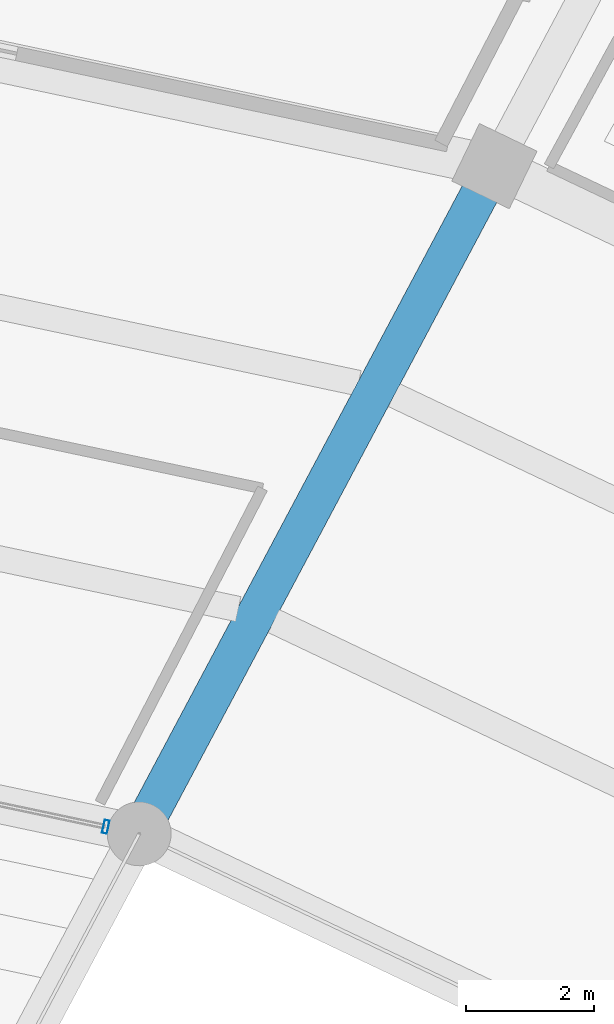
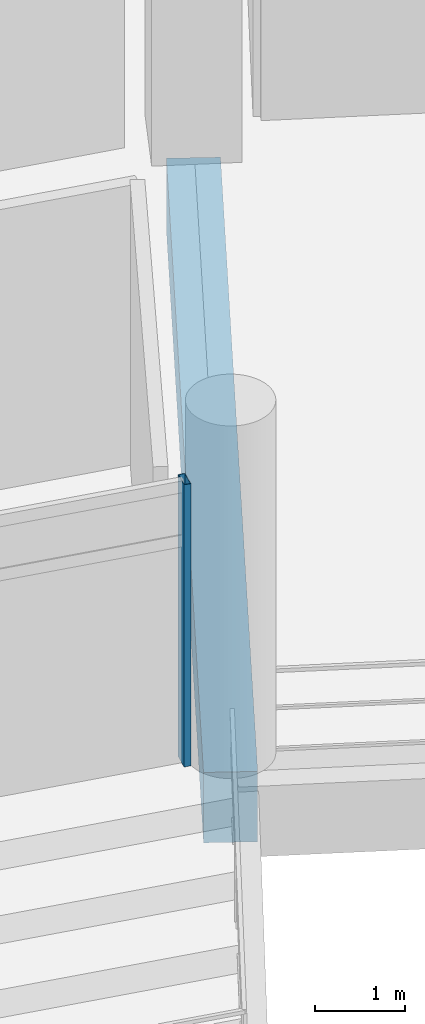
# One storey, part 111 of 171: 1 beam, 1 member, 1 element without a shape of its own.
"""IFC4 building model written with IfcOpenShell, lengths in metres."""

from ifc_helpers import new_model, si_unit, direction, frame, origin, origin_2d, place, context, subcontext, project, spatial, rectangle, hollow_rectangle, extrude, material, layer, layer_set, material_profile, profile_set, type_object, element, aggregate, save


model = new_model("IFC4")

# Units and contexts
model_context = context("Model", 3, precision=1e-05, world=origin(), true_north=direction((0.0, 1.0)))
body_context = subcontext(model_context, "Body", "Model", "MODEL_VIEW")
ifc_project = project(units=[si_unit("LENGTHUNIT", "METRE"), si_unit("AREAUNIT", "SQUARE_METRE"), si_unit("VOLUMEUNIT", "CUBIC_METRE"), si_unit("PLANEANGLEUNIT", "RADIAN"), si_unit("MASSUNIT", "GRAM", prefix="KILO")], contexts=[model_context])

# Site, building, storey
site_placement = place(None, origin())
site = spatial("IfcSite", under=ifc_project, at=site_placement, CompositionType="ELEMENT")
building_placement = place(site_placement, origin())
building = spatial("IfcBuilding", under=site, at=building_placement, Name="Kazemori Nagisa Stadium", CompositionType="ELEMENT")
storey_placement = place(building_placement, frame((0.0, 0.0, 15.639892578125)))
storey = spatial("IfcBuildingStorey", under=building, at=storey_placement, Name="L03", CompositionType="ELEMENT", Elevation=15.639892578125)

# Beam
ifc_material_1 = material(Name="Concrete C40/50 (Fc42)", Category="concrete")
ifc_material_profile_1 = material_profile(ifc_material_1, rectangle(XDim=0.60009765625, YDim=0.949951171875, at=origin_2d()), Name="RC-BM-600x950")
ifc_profile_set_1 = profile_set([ifc_material_profile_1], Name="Concrete C40/50 (Fc42)")
beam_type = type_object("IfcBeamType", Name="Beam_BG-RC600X950", PredefinedType="BEAM", material=ifc_profile_set_1)
beam_placement = place(storey_placement, frame((154.24755859375, 160.739013671875, -0.73486328125), z_axis=(0.469646804203, 0.882854393036, 0.0), x_axis=(-0.882854393036, 0.469646804203, 0.0)))
element("IfcBeam", 1, at=beam_placement, inside=storey, type_object=beam_type, Name="Radial girder BG-RC600X950 L03 R1-R2-06", PredefinedType="BEAM", context=body_context, shape_type="SweptSolid", body=[
    extrude(rectangle(XDim=0.60009765625, YDim=0.949951171875, at=origin_2d()), origin(), (0.0, 0.0, 1.0), 11.84814453125),
])

# Curtain wall, member
ifc_material_2 = material(Name="Anodised aluminium 6063-T5", Category="aluminium")
ifc_layer = layer(ifc_material_2, 0.2099609375, Name="Anodised aluminium 6063-T5", Category="aluminium")
ifc_layer_set = layer_set([ifc_layer], Name="Anodised aluminium 6063-T5")
curtain_wall_type = type_object("IfcCurtainWallType", Name="CW_L03B_75", PredefinedType="USERDEFINED", material=ifc_layer_set)
curtain_wall_placement = place(storey_placement, origin())
curtain_wall = element("IfcCurtainWall", 2, at=curtain_wall_placement, inside=storey, type_object=curtain_wall_type, Name="Unitised curtain wall CW-L03B-75 L03", ObjectType="UNITISED CURTAIN WALL", PredefinedType="USERDEFINED")
ifc_material_3 = material(Name="Aluminium 6063-T5 anodised", Category="aluminium")
ifc_material_profile_2 = material_profile(ifc_material_3, hollow_rectangle(XDim=0.080078125, YDim=0.2099609375, WallThickness=0.0048828125, at=origin_2d()), Name="ALU-MULL-80x210x5")
ifc_profile_set_2 = profile_set([ifc_material_profile_2], Name="Aluminium 6063-T5 anodised")
member_type = type_object("IfcMemberType", Name="Mullion_M02", PredefinedType="MULLION", material=ifc_profile_set_2)
member_placement = place(storey_placement, frame((153.72412109375, 160.849609375, 0.0), z_axis=(0.0, 0.0, 1.0), x_axis=(-0.978344955407, 0.206981033502, 0.0)))
member = element("IfcMember", 3, at=member_placement, type_object=member_type, Name="Curtain wall mullion CW-L03B-75-M1", PredefinedType="MULLION", context=body_context, shape_type="SweptSolid", body=[
    extrude(hollow_rectangle(XDim=0.080078125, YDim=0.2099609375, WallThickness=0.0048828125, at=origin_2d()), origin(), (0.0, 0.0, 1.0), 3.81005859375),
])
aggregate(curtain_wall, [member])

save(model, "model.ifc")
